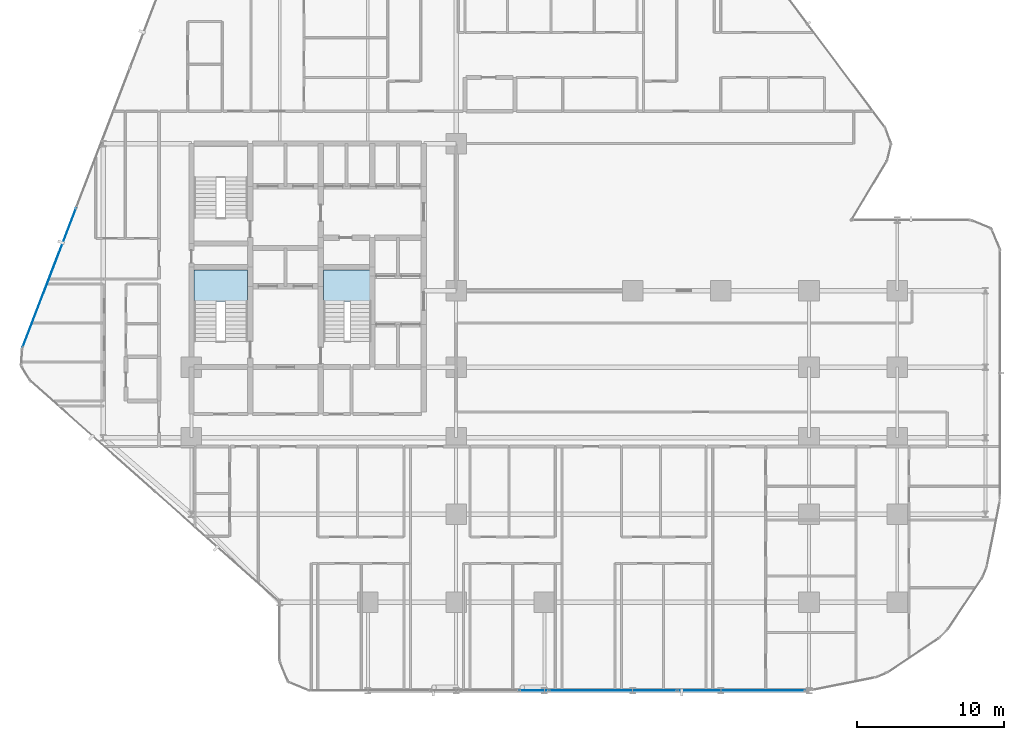
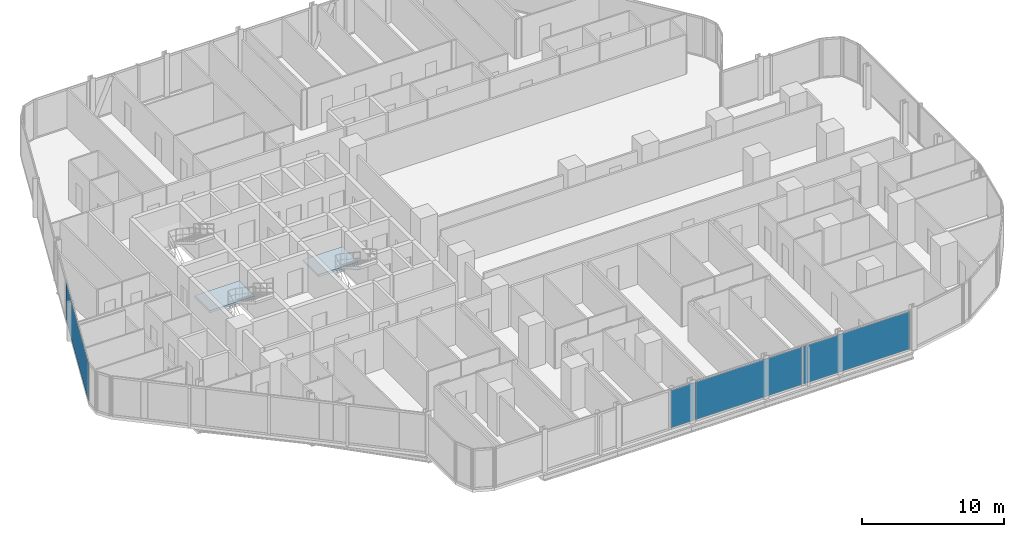
# One storey, part 21 of 34: 4 plates, 2 slabs, 5 elements without a shape of their own.
"""IFC4 building model written with IfcOpenShell, lengths in metres."""

from ifc_helpers import new_model, si_unit, direction, frame, origin, origin_2d, place, context, subcontext, project, spatial, polyline, rectangle, outline, extrude, material, layer, layer_set, type_object, element, aggregate, save


model = new_model("IFC4")

# Units and contexts
model_context = context("Model", 3, precision=1e-05, world=origin(), true_north=direction((0.0, 1.0)))
body_context = subcontext(model_context, "Body", "Model", "MODEL_VIEW")
ifc_project = project(units=[si_unit("LENGTHUNIT", "METRE"), si_unit("AREAUNIT", "SQUARE_METRE"), si_unit("VOLUMEUNIT", "CUBIC_METRE"), si_unit("PLANEANGLEUNIT", "RADIAN"), si_unit("MASSUNIT", "GRAM", prefix="KILO")], contexts=[model_context])

# Site, building, storey
site_placement = place(None, origin())
site = spatial("IfcSite", under=ifc_project, at=site_placement, CompositionType="ELEMENT")
building_placement = place(site_placement, origin())
building = spatial("IfcBuilding", under=site, at=building_placement, Name="Keshet Zoharim Tower", CompositionType="ELEMENT")
storey_placement = place(building_placement, frame((0.0, 0.0, 31.39990234375)))
storey = spatial("IfcBuildingStorey", under=building, at=storey_placement, Name="L06", CompositionType="ELEMENT", Elevation=31.39990234375)

# Curtain wall, plate
ifc_material_1 = material(Name="Aluminium 6063-T6", Category="aluminium")
ifc_layer_1 = layer(ifc_material_1, 0.179931640625)
ifc_layer_set_1 = layer_set([ifc_layer_1], Name="Aluminium 6063-T6")
curtain_wall_type = type_object("IfcCurtainWallType", Name="CW-SYS-01", PredefinedType="NOTDEFINED", material=ifc_layer_set_1)
curtain_wall_1_placement = place(storey_placement, origin())
curtain_wall_1 = element("IfcCurtainWall", 1, at=curtain_wall_1_placement, inside=storey, type_object=curtain_wall_type, Name="L06 Unitised Curtain Wall 04", PredefinedType="NOTDEFINED")
ifc_material_2 = material(Name="Insulated Low-E Clear Glass", Category="glass")
ifc_layer_2 = layer(ifc_material_2, 0.035888671875)
ifc_layer_set_2 = layer_set([ifc_layer_2], Name="Insulated Low-E Clear Glass")
plate_type_1 = type_object("IfcPlateType", Name="CWP-01", PredefinedType="CURTAIN_PANEL", material=ifc_layer_set_2)
plate_1_placement = place(storey_placement, frame((5.33837890625, 28.7802734375, 0.070068359375), z_axis=(0.0, 0.0, 1.0), x_axis=(0.358990003907, 0.933341404361, 0.0)))
plate_1 = element("IfcPlate", 2, at=plate_1_placement, type_object=plate_type_1, Name="CW-01 panel 1.1", PredefinedType="CURTAIN_PANEL", context=body_context, shape_type="SweptSolid", body=[
    extrude(rectangle(XDim=10.1181640625, YDim=0.035888671875, at=origin_2d()), origin(), (0.0, 0.0, 1.0), 3.2451171875),
])
aggregate(curtain_wall_1, [plate_1])

# Curtain wall, plates
curtain_wall_2_placement = place(storey_placement, origin())
curtain_wall_2 = element("IfcCurtainWall", 3, at=curtain_wall_2_placement, inside=storey, type_object=curtain_wall_type, Name="L06 Unitised Curtain Wall 26", PredefinedType="NOTDEFINED")
plate_2_placement = place(storey_placement, frame((52.400390625, 0.699951171875, 0.070068359375), z_axis=(0.0, 0.0, 1.0), x_axis=(-1.0, 0.0, 0.0)))
plate_2 = element("IfcPlate", 4, at=plate_2_placement, type_object=plate_type_1, Name="CW-01 panel 1.1", PredefinedType="CURTAIN_PANEL", context=body_context, shape_type="SweptSolid", body=[
    extrude(rectangle(XDim=8.665283203125, YDim=0.035888671875, at=origin_2d()), origin(), (0.0, 0.0, 1.0), 3.2451171875),
])
plate_3_placement = place(storey_placement, frame((43.665283203125, 0.699951171875, 0.070068359375), z_axis=(0.0, 0.0, 1.0), x_axis=(-1.0, 0.0, 0.0)))
plate_3 = element("IfcPlate", 5, at=plate_3_placement, type_object=plate_type_1, Name="CW-01 panel 2.1", PredefinedType="CURTAIN_PANEL", context=body_context, shape_type="SweptSolid", body=[
    extrude(rectangle(XDim=8.665283203125, YDim=0.035888671875, at=origin_2d()), origin(), (0.0, 0.0, 1.0), 3.2451171875),
])
aggregate(curtain_wall_2, [plate_2, plate_3])

# Curtain wall, plate
curtain_wall_3_placement = place(storey_placement, origin())
curtain_wall_3 = element("IfcCurtainWall", 6, at=curtain_wall_3_placement, inside=storey, type_object=curtain_wall_type, Name="L06 Unitised Curtain Wall 26 Part 2", PredefinedType="NOTDEFINED")
ifc_material_3 = material(Name="Insulated Aluminium Spandrel Panel", Category="aluminium")
ifc_layer_3 = layer(ifc_material_3, 0.035888671875)
ifc_layer_set_3 = layer_set([ifc_layer_3], Name="Insulated Aluminium Spandrel Panel")
plate_type_2 = type_object("IfcPlateType", Name="CWP-04", PredefinedType="CURTAIN_PANEL", material=ifc_layer_set_3)
plate_4_placement = place(storey_placement, frame((38.284912109375, 0.699951171875, 0.070068359375), z_axis=(0.0, 0.0, 1.0), x_axis=(-1.0, 0.0, 0.0)))
plate_4 = element("IfcPlate", 7, at=plate_4_placement, type_object=plate_type_2, Name="CW-01 spandrel panel 1.1", PredefinedType="CURTAIN_PANEL", context=body_context, shape_type="SweptSolid", body=[
    extrude(rectangle(XDim=1.955078125, YDim=0.035888671875, at=origin_2d()), origin(), (0.0, 0.0, 1.0), 3.2451171875),
])
aggregate(curtain_wall_3, [plate_4])

# Stair, slab
ifc_material_4 = material(Name="Concrete C50/60", Category="concrete")
stair_type = type_object("IfcStairType", Name="STR-EXIT-135", PredefinedType="HALF_TURN_STAIR", material=ifc_material_4)
stair_1_placement = place(storey_placement, origin())
stair_1 = element("IfcStair", 8, at=stair_1_placement, inside=storey, type_object=stair_type, Name="L06 Enclosed Exit Stair ST-01", PredefinedType="HALF_TURN_STAIR")
ifc_layer_4 = layer(ifc_material_4, 0.199951171875)
ifc_layer_set_4 = layer_set([ifc_layer_4], Name="Concrete C50/60")
slab_type = type_object("IfcSlabType", Name="SLB-LND-200", PredefinedType="LANDING", material=ifc_layer_set_4)
slab_1_placement = place(storey_placement, frame((0.0, 0.0, 1.650146484375)))
slab_1 = element("IfcSlab", 9, at=slab_1_placement, type_object=slab_type, Name="ST-01 landing 1", PredefinedType="LANDING", context=body_context, shape_type="SweptSolid", body=[
    extrude(outline(polyline([(15.179931640625, 27.159912109375), (18.820068359375, 27.159912109375), (18.820068359375, 29.320068359375), (15.179931640625, 29.320068359375), (15.179931640625, 27.159912109375)])), origin(), (0.0, 0.0, 1.0), 0.199951171875),
])
aggregate(stair_1, [slab_1])

stair_2_placement = place(storey_placement, origin())
stair_2 = element("IfcStair", 10, at=stair_2_placement, inside=storey, type_object=stair_type, Name="L06 Enclosed Exit Stair ST-03", PredefinedType="HALF_TURN_STAIR")
slab_2_placement = place(storey_placement, frame((0.0, 0.0, 1.650146484375)))
slab_2 = element("IfcSlab", 11, at=slab_2_placement, type_object=slab_type, Name="ST-03 landing 1", PredefinedType="LANDING", context=body_context, shape_type="SweptSolid", body=[
    extrude(outline(polyline([(23.97998046875, 27.159912109375), (27.219970703125, 27.159912109375), (27.219970703125, 29.320068359375), (23.97998046875, 29.320068359375), (23.97998046875, 27.159912109375)])), origin(), (0.0, 0.0, 1.0), 0.199951171875),
])
aggregate(stair_2, [slab_2])

save(model, "model.ifc")
